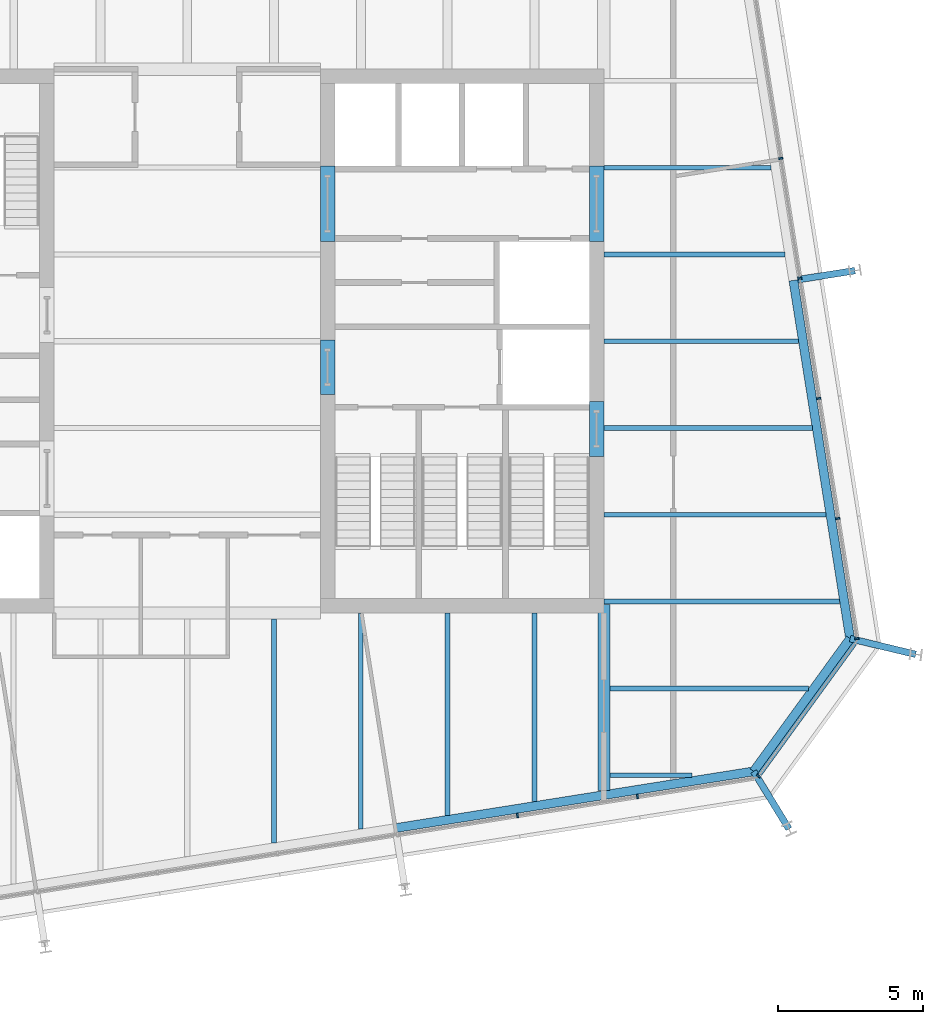
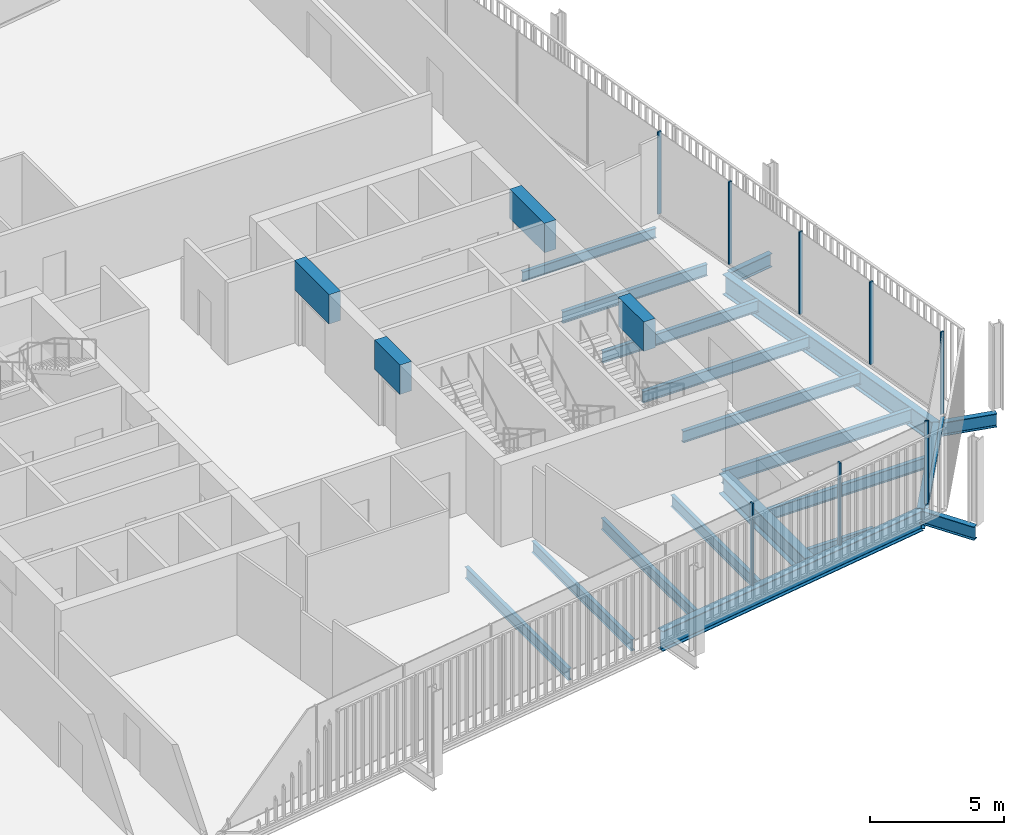
# One storey, part 8 of 20: 23 beams, 9 members, 3 elements without a shape of their own.
"""IFC4 building model written with IfcOpenShell, lengths in metres."""

from ifc_helpers import new_model, si_unit, direction, frame, origin, origin_2d, place, context, subcontext, project, spatial, rectangle, i_section, extrude, material, layer, layer_set, material_profile, profile_set, type_object, element, aggregate, save


model = new_model("IFC4")

# Units and contexts
model_context = context("Model", 3, precision=1e-05, world=origin(), true_north=direction((0.0, 1.0)))
body_context = subcontext(model_context, "Body", "Model", "MODEL_VIEW")
ifc_project = project(units=[si_unit("LENGTHUNIT", "METRE"), si_unit("AREAUNIT", "SQUARE_METRE"), si_unit("VOLUMEUNIT", "CUBIC_METRE"), si_unit("PLANEANGLEUNIT", "RADIAN"), si_unit("MASSUNIT", "GRAM", prefix="KILO")], contexts=[model_context])

# Site, building, storey
site_placement = place(None, origin())
site = spatial("IfcSite", under=ifc_project, at=site_placement, CompositionType="ELEMENT")
building_placement = place(site_placement, origin())
building = spatial("IfcBuilding", under=site, at=building_placement, Name="Millrace Tower", CompositionType="ELEMENT")
storey_placement = place(building_placement, frame((0.0, 0.0, 259.10009765625)))
storey = spatial("IfcBuildingStorey", under=building, at=storey_placement, Name="L59", CompositionType="ELEMENT", Elevation=259.10009765625)

# Curtain wall, members
ifc_material_1 = material(Name="Aluminium and glass", Category="aluminium")
ifc_layer = layer(ifc_material_1, 0.14990234375)
ifc_layer_set = layer_set([ifc_layer], Name="Aluminium and glass")
curtain_wall_type = type_object("IfcCurtainWallType", Name="CW-1 office vision curtain wall", PredefinedType="NOTDEFINED", material=ifc_layer_set)
placement = place(storey_placement, origin())
curtain_wall_1 = element("IfcCurtainWall", 1, at=placement, inside=storey, type_object=curtain_wall_type, Name="Curtain wall D-F02 L59", PredefinedType="NOTDEFINED")
ifc_material_2 = material(Name="Aluminium", Category="aluminium")
ifc_material_profile_1 = material_profile(ifc_material_2, rectangle(XDim=0.06494140625, YDim=0.14990234375, at=origin_2d()))
ifc_profile_set_1 = profile_set([ifc_material_profile_1], Name="Aluminium")
member_type_1 = type_object("IfcMemberType", Name="CW-1 office vision curtain wall mullion", PredefinedType="MULLION", material=ifc_profile_set_1)
member_1_placement = place(storey_placement, frame((11.41259765625, -16.393310546875, 0.139892578125), z_axis=(0.0, 0.0, 1.0), x_axis=(0.987688339511, 0.156434471884, 0.0)))
member_1 = element("IfcMember", 2, at=member_1_placement, type_object=member_type_1, Name="CW1 mullion D-F02.8", PredefinedType="MULLION", context=body_context, shape_type="SweptSolid", body=[
    extrude(rectangle(XDim=0.06494140625, YDim=0.14990234375, at=origin_2d()), origin(), (0.0, 0.0, 1.0), 3.760009765625),
])
member_2_placement = place(storey_placement, frame((15.560791015625, -15.736328125, 0.139892578125), z_axis=(0.0, 0.0, 1.0), x_axis=(0.987688339511, 0.156434471884, 0.0)))
member_2 = element("IfcMember", 3, at=member_2_placement, type_object=member_type_1, Name="CW1 mullion D-F02.9", PredefinedType="MULLION", context=body_context, shape_type="SweptSolid", body=[
    extrude(rectangle(XDim=0.06494140625, YDim=0.14990234375, at=origin_2d()), origin(), (0.0, 0.0, 1.0), 3.760009765625),
])
aggregate(curtain_wall_1, [member_1, member_2])

# Curtain wall, member
curtain_wall_2 = element("IfcCurtainWall", 4, at=placement, inside=storey, type_object=curtain_wall_type, Name="Curtain wall D-F03 L59", PredefinedType="NOTDEFINED")
member_3_placement = place(storey_placement, frame((19.7451171875, -15.028076171875, 0.139892578125), z_axis=(0.0, 0.0, 1.0), x_axis=(0.587785305991, 0.809016955361, 0.0)))
member_3 = element("IfcMember", 5, at=member_3_placement, type_object=member_type_1, Name="CW1 mullion D-F03.1", PredefinedType="MULLION", context=body_context, shape_type="SweptSolid", body=[
    extrude(rectangle(XDim=0.06494140625, YDim=0.14990234375, at=origin_2d()), origin(), (0.0, 0.0, 1.0), 3.760009765625),
])

# Curtain wall, members
curtain_wall_3 = element("IfcCurtainWall", 6, at=placement, inside=storey, type_object=curtain_wall_type, Name="Curtain wall D-F04 L59", PredefinedType="NOTDEFINED")
member_4_placement = place(storey_placement, frame((23.142333984375, -10.275390625, 0.139892578125), z_axis=(0.0, 0.0, 1.0), x_axis=(-0.156434471884, 0.987688339511, 0.0)))
member_4 = element("IfcMember", 7, at=member_4_placement, type_object=member_type_1, Name="CW1 mullion D-F04.1", PredefinedType="MULLION", context=body_context, shape_type="SweptSolid", body=[
    extrude(rectangle(XDim=0.06494140625, YDim=0.14990234375, at=origin_2d()), origin(), (0.0, 0.0, 1.0), 3.760009765625),
])
member_5_placement = place(storey_placement, frame((22.4853515625, -6.127197265625, 0.139892578125), z_axis=(0.0, 0.0, 1.0), x_axis=(-0.156434471884, 0.987688339511, 0.0)))
member_5 = element("IfcMember", 8, at=member_5_placement, type_object=member_type_1, Name="CW1 mullion D-F04.2", PredefinedType="MULLION", context=body_context, shape_type="SweptSolid", body=[
    extrude(rectangle(XDim=0.06494140625, YDim=0.14990234375, at=origin_2d()), origin(), (0.0, 0.0, 1.0), 3.760009765625),
])
member_6_placement = place(storey_placement, frame((21.828369140625, -1.97900390625, 0.139892578125), z_axis=(0.0, 0.0, 1.0), x_axis=(-0.156434471884, 0.987688339511, 0.0)))
member_6 = element("IfcMember", 9, at=member_6_placement, type_object=member_type_1, Name="CW1 mullion D-F04.3", PredefinedType="MULLION", context=body_context, shape_type="SweptSolid", body=[
    extrude(rectangle(XDim=0.06494140625, YDim=0.14990234375, at=origin_2d()), origin(), (0.0, 0.0, 1.0), 3.760009765625),
])
member_7_placement = place(storey_placement, frame((21.17138671875, 2.16943359375, 0.139892578125), z_axis=(0.0, 0.0, 1.0), x_axis=(-0.156434471884, 0.987688339511, 0.0)))
member_7 = element("IfcMember", 10, at=member_7_placement, type_object=member_type_1, Name="CW1 mullion D-F04.4", PredefinedType="MULLION", context=body_context, shape_type="SweptSolid", body=[
    extrude(rectangle(XDim=0.06494140625, YDim=0.14990234375, at=origin_2d()), origin(), (0.0, 0.0, 1.0), 3.760009765625),
])
member_8_placement = place(storey_placement, frame((20.514404296875, 6.317626953125, 0.139892578125), z_axis=(0.0, 0.0, 1.0), x_axis=(-0.156434471884, 0.987688339511, 0.0)))
member_8 = element("IfcMember", 11, at=member_8_placement, type_object=member_type_1, Name="CW1 mullion D-F04.5", PredefinedType="MULLION", context=body_context, shape_type="SweptSolid", body=[
    extrude(rectangle(XDim=0.06494140625, YDim=0.14990234375, at=origin_2d()), origin(), (0.0, 0.0, 1.0), 3.760009765625),
])
aggregate(curtain_wall_3, [member_4, member_5, member_6, member_7, member_8])

# Member
ifc_material_3 = material(Name="Aluminium", Category="aluminium")
ifc_material_profile_2 = material_profile(ifc_material_3, rectangle(XDim=0.14990234375, YDim=0.139892578125, at=origin_2d()))
ifc_profile_set_2 = profile_set([ifc_material_profile_2], Name="Aluminium")
member_type_2 = type_object("IfcMemberType", Name="CW-1 office vision curtain wall transom", PredefinedType="USERDEFINED", material=ifc_profile_set_2)
member_9_placement = place(storey_placement, frame((19.78466796875, -14.973388671875, 0.06982421875), z_axis=(0.587811213399, 0.808998131891, 0.0), x_axis=(-0.808998131891, 0.587811213399, 0.0)))
member_9 = element("IfcMember", 12, at=member_9_placement, type_object=member_type_2, Name="CW1 transom D-F03.1", ObjectType="TRANSOM", PredefinedType="USERDEFINED", context=body_context, shape_type="SweptSolid", body=[
    extrude(rectangle(XDim=0.14990234375, YDim=0.139892578125, at=origin_2d()), origin(), (0.0, 0.0, 1.0), 5.598388671875),
])

aggregate(curtain_wall_2, [member_3, member_9])

# Beams
ifc_material_4 = material(Name="Concrete C60", Category="concrete")
ifc_material_profile_3 = material_profile(ifc_material_4, rectangle(XDim=0.5, YDim=1.340087890625, at=origin_2d()))
ifc_profile_set_3 = profile_set([ifc_material_profile_3], Name="Concrete C60")
beam_type_1 = type_object("IfcBeamType", Name="Coupling beam 500 x 1340 Concrete C60, 1300 opening", PredefinedType="BEAM", material=ifc_profile_set_3)
beam_1_placement = place(storey_placement, frame((14.14990234375, -2.080078125, 3.06982421875), z_axis=(0.0, -1.0, 0.0), x_axis=(1.0, 0.0, 0.0)))
element("IfcBeam", 13, at=beam_1_placement, inside=storey, type_object=beam_type_1, Name="Coupling beam E L59", PredefinedType="BEAM", context=body_context, shape_type="SweptSolid", body=[
    extrude(rectangle(XDim=0.5, YDim=1.340087890625, at=origin_2d()), origin(), (0.0, 0.0, 1.0), 1.89990234375),
])
beam_2_placement = place(storey_placement, frame((4.85009765625, 0.050048828125, 3.06982421875), z_axis=(0.0, -1.0, 0.0), x_axis=(1.0, 0.0, 0.0)))
element("IfcBeam", 14, at=beam_2_placement, inside=storey, type_object=beam_type_1, Name="Coupling beam E L59", PredefinedType="BEAM", context=body_context, shape_type="SweptSolid", body=[
    extrude(rectangle(XDim=0.5, YDim=1.340087890625, at=origin_2d()), origin(), (0.0, 0.0, 1.0), 1.900146484375),
])
ifc_material_5 = material(Name="Concrete C60", Category="concrete")
ifc_material_profile_4 = material_profile(ifc_material_5, rectangle(XDim=0.5, YDim=1.340087890625, at=origin_2d()))
ifc_profile_set_4 = profile_set([ifc_material_profile_4], Name="Concrete C60")
beam_type_2 = type_object("IfcBeamType", Name="Coupling beam 500 x 1340 Concrete C60, 2000 opening", PredefinedType="BEAM", material=ifc_profile_set_4)
for number, where, z_axis, x_axis, name in (
    (15, (14.14990234375, 6.050048828125, 3.06982421875), (0.0, -1.0, 0.0), (1.0, 0.0, 0.0), "Coupling beam E L59"),
    (16, (4.85009765625, 6.050048828125, 3.06982421875), (0.0, -1.0, 0.0), (1.0, 0.0, 0.0), "Coupling beam E L59"),
):
    element("IfcBeam", number, at=place(storey_placement, frame(where, z_axis=z_axis, x_axis=x_axis)), inside=storey, type_object=beam_type_2, Name=name, PredefinedType="BEAM", context=body_context, shape_type="SweptSolid", body=[
        extrude(rectangle(XDim=0.5, YDim=1.340087890625, at=origin_2d()), origin(), (0.0, 0.0, 1.0), 2.60009765625),
    ])
ifc_material_6 = material(Name="Steel ASTM A992 Grade 50", Category="steel")
ifc_material_profile_5 = material_profile(ifc_material_6, i_section(OverallWidth=0.15234375, OverallDepth=0.449462890625, WebThickness=0.007568359375, FlangeThickness=0.0107421875, FilletRadius=0.01025390625, at=origin_2d()))
ifc_profile_set_5 = profile_set([ifc_material_profile_5], Name="Steel ASTM A992 Grade 50")
beam_type_3 = type_object("IfcBeamType", Name="Floor beam W18x35", PredefinedType="JOIST", material=ifc_profile_set_5)
beam_3_placement = place(storey_placement, frame((14.39990234375, 6.0, -0.384765625), z_axis=(1.0, 0.0, 0.0), x_axis=(0.0, 1.0, 0.0)))
element("IfcBeam", 17, at=beam_3_placement, inside=storey, type_object=beam_type_3, Name="BM-D-L59-S1-S022", PredefinedType="JOIST", context=body_context, shape_type="SweptSolid", body=[
    extrude(i_section(OverallWidth=0.15234375, OverallDepth=0.449462890625, WebThickness=0.007568359375, FlangeThickness=0.0107421875, FilletRadius=0.01025390625, at=origin_2d()), origin(), (0.0, 0.0, 1.0), 5.777587890625),
])
beam_4_placement = place(storey_placement, frame((14.609619140625, -15.0, -0.384765625), z_axis=(1.0, 0.0, 0.0), x_axis=(0.0, 1.0, 0.0)))
element("IfcBeam", 18, at=beam_4_placement, inside=storey, type_object=beam_type_3, Name="BM-D-L59-S1-S003", PredefinedType="JOIST", context=body_context, shape_type="SweptSolid", body=[
    extrude(i_section(OverallWidth=0.15234375, OverallDepth=0.449462890625, WebThickness=0.007568359375, FlangeThickness=0.0107421875, FilletRadius=0.01025390625, at=origin_2d()), origin(), (0.0, 0.0, 1.0), 2.839599609375),
])
ifc_material_7 = material(Name="Steel ASTM A992 Grade 50", Category="steel")
ifc_material_profile_6 = material_profile(ifc_material_7, i_section(OverallWidth=0.1650390625, OverallDepth=0.52587890625, WebThickness=0.0087890625, FlangeThickness=0.011474609375, FilletRadius=0.0126953125, at=origin_2d()))
ifc_profile_set_6 = profile_set([ifc_material_profile_6], Name="Steel ASTM A992 Grade 50")
beam_type_4 = type_object("IfcBeamType", Name="Floor beam W21x44", PredefinedType="JOIST", material=ifc_profile_set_6)
beam_5_placement = place(storey_placement, frame((14.609619140625, -12.0, -0.423095703125), z_axis=(1.0, 0.0, 0.0), x_axis=(0.0, 1.0, 0.0)))
element("IfcBeam", 19, at=beam_5_placement, inside=storey, type_object=beam_type_4, Name="BM-D-L59-S1-S005", PredefinedType="JOIST", context=body_context, shape_type="SweptSolid", body=[
    extrude(i_section(OverallWidth=0.1650390625, OverallDepth=0.52587890625, WebThickness=0.0087890625, FlangeThickness=0.011474609375, FilletRadius=0.0126953125, at=origin_2d()), origin(), (0.0, 0.0, 1.0), 6.86279296875),
])
beam_6_placement = place(storey_placement, frame((14.39990234375, -6.0, -0.423095703125), z_axis=(1.0, 0.0, 0.0), x_axis=(0.0, 1.0, 0.0)))
element("IfcBeam", 20, at=beam_6_placement, inside=storey, type_object=beam_type_4, Name="BM-D-L59-S1-S010", PredefinedType="JOIST", context=body_context, shape_type="SweptSolid", body=[
    extrude(i_section(OverallWidth=0.1650390625, OverallDepth=0.52587890625, WebThickness=0.0087890625, FlangeThickness=0.011474609375, FilletRadius=0.0126953125, at=origin_2d()), origin(), (0.0, 0.0, 1.0), 7.67822265625),
])
beam_7_placement = place(storey_placement, frame((14.39990234375, -3.0, -0.423095703125), z_axis=(1.0, 0.0, 0.0), x_axis=(0.0, 1.0, 0.0)))
element("IfcBeam", 21, at=beam_7_placement, inside=storey, type_object=beam_type_4, Name="BM-D-L59-S1-S013", PredefinedType="JOIST", context=body_context, shape_type="SweptSolid", body=[
    extrude(i_section(OverallWidth=0.1650390625, OverallDepth=0.52587890625, WebThickness=0.0087890625, FlangeThickness=0.011474609375, FilletRadius=0.0126953125, at=origin_2d()), origin(), (0.0, 0.0, 1.0), 7.203125),
])
beam_8_placement = place(storey_placement, frame((14.39990234375, 0.0, -0.423095703125), z_axis=(1.0, 0.0, 0.0), x_axis=(0.0, 1.0, 0.0)))
element("IfcBeam", 22, at=beam_8_placement, inside=storey, type_object=beam_type_4, Name="BM-D-L59-S1-S016", PredefinedType="JOIST", context=body_context, shape_type="SweptSolid", body=[
    extrude(i_section(OverallWidth=0.1650390625, OverallDepth=0.52587890625, WebThickness=0.0087890625, FlangeThickness=0.011474609375, FilletRadius=0.0126953125, at=origin_2d()), origin(), (0.0, 0.0, 1.0), 6.72802734375),
])
beam_9_placement = place(storey_placement, frame((14.39990234375, 3.0, -0.423095703125), z_axis=(1.0, 0.0, 0.0), x_axis=(0.0, 1.0, 0.0)))
element("IfcBeam", 23, at=beam_9_placement, inside=storey, type_object=beam_type_4, Name="BM-D-L59-S1-S019", PredefinedType="JOIST", context=body_context, shape_type="SweptSolid", body=[
    extrude(i_section(OverallWidth=0.1650390625, OverallDepth=0.52587890625, WebThickness=0.0087890625, FlangeThickness=0.011474609375, FilletRadius=0.0126953125, at=origin_2d()), origin(), (0.0, 0.0, 1.0), 6.252685546875),
])
beam_10_placement = place(storey_placement, frame((3.0, -17.338623046875, -0.423095703125), z_axis=(0.0, 1.0, 0.0), x_axis=(-1.0, 0.0, 0.0)))
element("IfcBeam", 24, at=beam_10_placement, inside=storey, type_object=beam_type_4, Name="BM-D-L59-S1-S047", PredefinedType="JOIST", context=body_context, shape_type="SweptSolid", body=[
    extrude(i_section(OverallWidth=0.1650390625, OverallDepth=0.52587890625, WebThickness=0.0087890625, FlangeThickness=0.011474609375, FilletRadius=0.0126953125, at=origin_2d()), origin(), (0.0, 0.0, 1.0), 7.72900390625),
])
beam_11_placement = place(storey_placement, frame((6.0, -16.863525390625, -0.423095703125), z_axis=(0.0, 1.0, 0.0), x_axis=(-1.0, 0.0, 0.0)))
element("IfcBeam", 25, at=beam_11_placement, inside=storey, type_object=beam_type_4, Name="BM-D-L59-S1-S049", PredefinedType="JOIST", context=body_context, shape_type="SweptSolid", body=[
    extrude(i_section(OverallWidth=0.1650390625, OverallDepth=0.52587890625, WebThickness=0.0087890625, FlangeThickness=0.011474609375, FilletRadius=0.0126953125, at=origin_2d()), origin(), (0.0, 0.0, 1.0), 7.463623046875),
])
beam_12_placement = place(storey_placement, frame((9.0, -16.38818359375, -0.423095703125), z_axis=(0.0, 1.0, 0.0), x_axis=(-1.0, 0.0, 0.0)))
element("IfcBeam", 26, at=beam_12_placement, inside=storey, type_object=beam_type_4, Name="BM-D-L59-S1-S051", PredefinedType="JOIST", context=body_context, shape_type="SweptSolid", body=[
    extrude(i_section(OverallWidth=0.1650390625, OverallDepth=0.52587890625, WebThickness=0.0087890625, FlangeThickness=0.011474609375, FilletRadius=0.0126953125, at=origin_2d()), origin(), (0.0, 0.0, 1.0), 6.98828125),
])
beam_13_placement = place(storey_placement, frame((12.0, -15.9130859375, -0.423095703125), z_axis=(0.0, 1.0, 0.0), x_axis=(-1.0, 0.0, 0.0)))
element("IfcBeam", 27, at=beam_13_placement, inside=storey, type_object=beam_type_4, Name="BM-D-L59-S1-S053", PredefinedType="JOIST", context=body_context, shape_type="SweptSolid", body=[
    extrude(i_section(OverallWidth=0.1650390625, OverallDepth=0.52587890625, WebThickness=0.0087890625, FlangeThickness=0.011474609375, FilletRadius=0.0126953125, at=origin_2d()), origin(), (0.0, 0.0, 1.0), 6.51318359375),
])
ifc_material_8 = material(Name="Steel ASTM A992 Grade 50", Category="steel")
ifc_material_profile_7 = material_profile(ifc_material_8, i_section(OverallWidth=0.177978515625, OverallDepth=0.599365234375, WebThickness=0.010009765625, FlangeThickness=0.012939453125, FilletRadius=0.012939453125, at=origin_2d()))
ifc_profile_set_7 = profile_set([ifc_material_profile_7], Name="Steel ASTM A992 Grade 50")
beam_type_5 = type_object("IfcBeamType", Name="Floor beam W24x55", PredefinedType="JOIST", material=ifc_profile_set_7)
beam_14_placement = place(storey_placement, frame((14.39990234375, -9.0, -0.459716796875), z_axis=(1.0, 0.0, 0.0), x_axis=(0.0, 1.0, 0.0)))
element("IfcBeam", 28, at=beam_14_placement, inside=storey, type_object=beam_type_5, Name="BM-D-L59-S1-S007", PredefinedType="JOIST", context=body_context, shape_type="SweptSolid", body=[
    extrude(i_section(OverallWidth=0.177978515625, OverallDepth=0.599365234375, WebThickness=0.010009765625, FlangeThickness=0.012939453125, FilletRadius=0.012939453125, at=origin_2d()), origin(), (0.0, 0.0, 1.0), 8.1533203125),
])
ifc_material_9 = material(Name="Steel ASTM A992 Grade 50", Category="steel")
ifc_material_profile_8 = material_profile(ifc_material_9, i_section(OverallWidth=0.419189453125, OverallDepth=0.927001953125, WebThickness=0.019287109375, FlangeThickness=0.031982421875, FilletRadius=0.024169921875, at=origin_2d()))
ifc_profile_set_8 = profile_set([ifc_material_profile_8], Name="Steel ASTM A992 Grade 50")
beam_type_6 = type_object("IfcBeamType", Name="Girder short span W36x231", PredefinedType="BEAM", material=ifc_profile_set_8)
beam_15_placement = place(storey_placement, frame((14.39990234375, -15.52490234375, -0.62353515625), z_axis=(0.0, 1.0, 0.0), x_axis=(-1.0, 0.0, 0.0)))
element("IfcBeam", 29, at=beam_15_placement, inside=storey, type_object=beam_type_6, Name="BM-D-L59-S1-G057", PredefinedType="BEAM", context=body_context, shape_type="SweptSolid", body=[
    extrude(i_section(OverallWidth=0.419189453125, OverallDepth=0.927001953125, WebThickness=0.019287109375, FlangeThickness=0.031982421875, FilletRadius=0.024169921875, at=origin_2d()), origin(), (0.0, 0.0, 1.0), 6.432861328125),
])
ifc_material_10 = material(Name="Steel ASTM A992 Grade 50", Category="steel")
ifc_material_profile_9 = material_profile(ifc_material_10, i_section(OverallWidth=0.23046875, OverallDepth=0.6171875, WebThickness=0.01318359375, FlangeThickness=0.022216796875, FilletRadius=0.012939453125, at=origin_2d()))
ifc_profile_set_9 = profile_set([ifc_material_profile_9], Name="Steel ASTM A992 Grade 50")
beam_type_7 = type_object("IfcBeamType", Name="Link beam W24x94", PredefinedType="BEAM", material=ifc_profile_set_9)
beam_16_placement = place(storey_placement, frame((21.102294921875, 2.12548828125, -0.46875), z_axis=(0.987678691416, 0.156495375404, 0.0), x_axis=(-0.156495375404, 0.987678691416, 0.0)))
element("IfcBeam", 30, at=beam_16_placement, inside=storey, type_object=beam_type_7, Name="LNK-D-L59-S1-11", PredefinedType="BEAM", context=body_context, shape_type="SweptSolid", body=[
    extrude(i_section(OverallWidth=0.23046875, OverallDepth=0.6171875, WebThickness=0.01318359375, FlangeThickness=0.022216796875, FilletRadius=0.012939453125, at=origin_2d()), origin(), (0.0, 0.0, 1.0), 2.0),
])
beam_17_placement = place(storey_placement, frame((22.91162109375, -10.280517578125, -0.46875), z_axis=(0.972373041068, -0.233432364948, 0.0), x_axis=(0.233432364948, 0.972373041068, 0.0)))
element("IfcBeam", 31, at=beam_17_placement, inside=storey, type_object=beam_type_7, Name="LNK-D-L59-S1-12", PredefinedType="BEAM", context=body_context, shape_type="SweptSolid", body=[
    extrude(i_section(OverallWidth=0.23046875, OverallDepth=0.6171875, WebThickness=0.01318359375, FlangeThickness=0.022216796875, FilletRadius=0.012939453125, at=origin_2d()), origin(), (0.0, 0.0, 1.0), 2.331298828125),
])
beam_18_placement = place(storey_placement, frame((19.578369140625, -14.868408203125, -0.46875), z_axis=(0.522512938711, -0.852631355792, 0.0), x_axis=(0.852631355792, 0.522512938711, 0.0)))
element("IfcBeam", 32, at=beam_18_placement, inside=storey, type_object=beam_type_7, Name="LNK-D-L59-S1-13", PredefinedType="BEAM", context=body_context, shape_type="SweptSolid", body=[
    extrude(i_section(OverallWidth=0.23046875, OverallDepth=0.6171875, WebThickness=0.01318359375, FlangeThickness=0.022216796875, FilletRadius=0.012939453125, at=origin_2d()), origin(), (0.0, 0.0, 1.0), 2.3310546875),
])
ifc_material_11 = material(Name="Steel ASTM A992 Grade 50", Category="steel")
ifc_material_profile_10 = material_profile(ifc_material_11, i_section(OverallWidth=0.307373046875, OverallDepth=0.927001953125, WebThickness=0.01953125, FlangeThickness=0.031982421875, FilletRadius=0.01904296875, at=origin_2d()))
ifc_profile_set_10 = profile_set([ifc_material_profile_10], Name="Steel ASTM A992 Grade 50")
beam_type_8 = type_object("IfcBeamType", Name="Ring beam medium span W36x194", PredefinedType="SPANDREL", material=ifc_profile_set_10)
for number, where, z_axis, x_axis, name in (
    (33, (20.95068359375, 2.1015625, -0.62353515625), (0.156419577072, -0.987690698503, 0.0), (0.987690698503, 0.156419577072, 0.0), "RNG-D-L59-S1-11"),
    (34, (19.578369140625, -14.868408203125, -0.62353515625), (-0.987687689625, -0.156438575049, 0.0), (0.156438575049, -0.987687689625, 0.0), "RNG-D-L59-S1-13"),
):
    element("IfcBeam", number, at=place(storey_placement, frame(where, z_axis=z_axis, x_axis=x_axis)), inside=storey, type_object=beam_type_8, Name=name, PredefinedType="SPANDREL", context=body_context, shape_type="SweptSolid", body=[
        extrude(i_section(OverallWidth=0.307373046875, OverallDepth=0.927001953125, WebThickness=0.01953125, FlangeThickness=0.031982421875, FilletRadius=0.01904296875, at=origin_2d()), origin(), (0.0, 0.0, 1.0), 12.536376953125),
    ])
ifc_material_12 = material(Name="Steel ASTM A992 Grade 50", Category="steel")
ifc_material_profile_11 = material_profile(ifc_material_12, i_section(OverallWidth=0.307373046875, OverallDepth=0.927001953125, WebThickness=0.01953125, FlangeThickness=0.031982421875, FilletRadius=0.01904296875, at=origin_2d()))
ifc_profile_set_11 = profile_set([ifc_material_profile_11], Name="Steel ASTM A992 Grade 50")
beam_type_9 = type_object("IfcBeamType", Name="Ring beam short span W36x194", PredefinedType="SPANDREL", material=ifc_profile_set_11)
beam_19_placement = place(storey_placement, frame((22.91162109375, -10.280517578125, -0.62353515625), z_axis=(-0.587779977844, -0.80902082646, 0.0), x_axis=(0.80902082646, -0.587779977844, 0.0)))
element("IfcBeam", 35, at=beam_19_placement, inside=storey, type_object=beam_type_9, Name="RNG-D-L59-S1-12", PredefinedType="SPANDREL", context=body_context, shape_type="SweptSolid", body=[
    extrude(i_section(OverallWidth=0.307373046875, OverallDepth=0.927001953125, WebThickness=0.01953125, FlangeThickness=0.031982421875, FilletRadius=0.01904296875, at=origin_2d()), origin(), (0.0, 0.0, 1.0), 5.6708984375),
])

save(model, "model.ifc")
